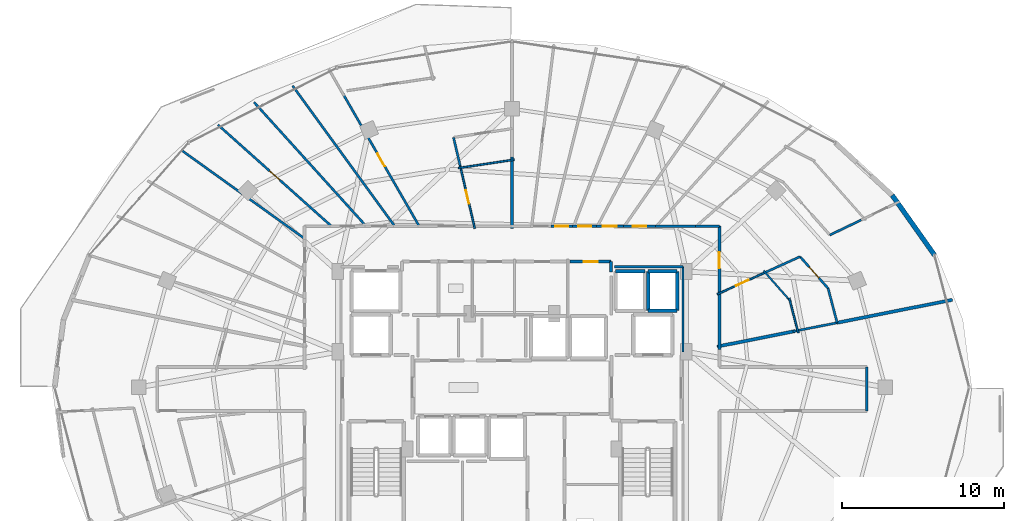
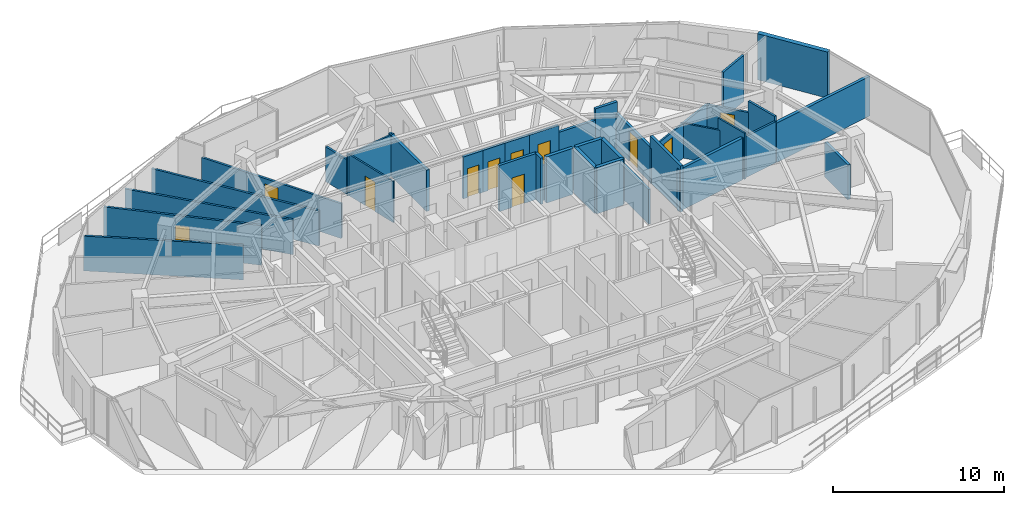
# One storey, part 29 of 34: 38 walls, 11 doors, 11 openings.
"""IFC4 building model written with IfcOpenShell, lengths in metres."""

from ifc_helpers import new_model, si_unit, direction, frame, frame_2d, origin, place, context, subcontext, project, spatial, rectangle, extrude, material, layer, layer_set, type_object, element, fill, save


model = new_model("IFC4")

# Units and contexts
model_context = context("Model", 3, precision=1e-05, world=origin(), true_north=direction((0.0, 1.0)))
body_context = subcontext(model_context, "Body", "Model", "MODEL_VIEW")
ifc_project = project(units=[si_unit("LENGTHUNIT", "METRE"), si_unit("AREAUNIT", "SQUARE_METRE"), si_unit("VOLUMEUNIT", "CUBIC_METRE"), si_unit("PLANEANGLEUNIT", "RADIAN"), si_unit("MASSUNIT", "GRAM", prefix="KILO")], contexts=[model_context])

# Site, building, storey
site_placement = place(None, origin())
site = spatial("IfcSite", under=ifc_project, at=site_placement, CompositionType="ELEMENT")
building_placement = place(site_placement, origin())
building = spatial("IfcBuilding", under=site, at=building_placement, Name="Vorneva Point Tower", CompositionType="ELEMENT")
storey_placement = place(building_placement, frame((0.0, 0.0, 214.300048828125)))
storey = spatial("IfcBuildingStorey", under=building, at=storey_placement, Name="L58", CompositionType="ELEMENT", Elevation=214.300048828125)

# Wall
ifc_material_1 = material(Name="Precast concrete B50 (C40/50)", Category="concrete")
ifc_layer_1 = layer(ifc_material_1, 0.300048828125)
ifc_layer_set_1 = layer_set([ifc_layer_1], Name="Precast concrete B50 (C40/50)")
wall_type_1 = type_object("IfcWallType", Name="WL-EXT-300", PredefinedType="STANDARD", material=ifc_layer_set_1)
wall_1_placement = place(storey_placement, frame((64.0810546875, 34.17041015625, 0.0), z_axis=(0.0, 0.0, 1.0), x_axis=(-0.577168747264, 0.81662490605, 0.0)))
element("IfcWall", 1, at=wall_1_placement, inside=storey, type_object=wall_type_1, Name="L58 Pale-Metal Facade Spandrel Wall 02.1", PredefinedType="STANDARD", context=body_context, shape_type="SweptSolid", body=[
    extrude(rectangle(XDim=4.519775390625, YDim=0.300048828125, at=frame_2d((2.259765625, 0.0))), origin(), (0.0, 0.0, 1.0), 3.2900390625),
])

# Wall, opening, door
ifc_material_2 = material(Name="Fire-rated acoustic gypsum stud partition", Category="gypsum")
ifc_layer_2 = layer(ifc_material_2, 0.110107421875)
ifc_layer_set_2 = layer_set([ifc_layer_2], Name="Fire-rated acoustic gypsum stud partition")
wall_type_2 = type_object("IfcWallType", Name="WL-PART-110", PredefinedType="PARTITIONING", material=ifc_layer_set_2)
wall_2_placement = place(storey_placement, frame((50.672607421875, 31.753173828125, 0.0), z_axis=(0.0, 0.0, 1.0), x_axis=(0.910504846956, 0.413498396212, 0.0)))
wall_2 = element("IfcWall", 2, at=wall_2_placement, inside=storey, type_object=wall_type_2, Name="L58 Interior Partition 088", PredefinedType="PARTITIONING", context=body_context, shape_type="SweptSolid", body=[
    extrude(rectangle(XDim=3.382568359375, YDim=0.110107421875, at=frame_2d((1.69140625, 0.0))), origin(), (0.0, 0.0, 1.0), 2.48193359375),
])
opening_1_placement = place(wall_2_placement, frame((1.266357421875, 0.0, 0.0)))
opening_1 = element("IfcOpeningElement", 3, at=opening_1_placement, cuts=wall_2, Name="Opening ID-02", PredefinedType="OPENING", context=body_context, shape_type="SweptSolid", body=[
    extrude(rectangle(XDim=0.85009765625, YDim=2.10009765625, at=frame_2d((0.425048828125, 1.050048828125))), frame((0.0, 0.06982421875, 0.0), z_axis=(0.0, -1.0, 0.0), x_axis=(1.0, 0.0, 0.0)), (0.0, 0.0, 1.0), 0.139892578125),
])
ifc_material_3 = material(Name="Engineered oak fire-rated door leaf", Category="wood")
door_type_1 = type_object("IfcDoorType", Name="DR-BATH-850", OperationType="NOTDEFINED", PredefinedType="DOOR", material=ifc_material_3)
door_1_placement = place(opening_1_placement, origin())
door_1 = element("IfcDoor", 4, at=door_1_placement, inside=storey, type_object=door_type_1, Name="L58 Door Living and Dining Room L58-01 / Bathroom L58-01", OperationType="SINGLE_SWING_LEFT", OverallHeight=2.10009765625, OverallWidth=0.85009765625, PredefinedType="DOOR", context=body_context, shape_type="SweptSolid", body=[
    extrude(rectangle(XDim=0.85009765625, YDim=2.10009765625, at=frame_2d((0.425048828125, 1.050048828125))), frame((0.0, 0.02490234375, 0.0), z_axis=(0.0, -1.0, 0.0), x_axis=(1.0, 0.0, 0.0)), (0.0, 0.0, 1.0), 0.050048828125),
])
fill(opening_1, door_1)

# Walls
wall_3_placement = place(storey_placement, frame((53.5322265625, 33.198974609375, 0.0), z_axis=(0.0, 0.0, 1.0), x_axis=(0.662069232061, -0.749442680902, 0.0)))
element("IfcWall", 5, at=wall_3_placement, inside=storey, type_object=wall_type_2, Name="L58 Interior Partition 095", PredefinedType="PARTITIONING", context=body_context, shape_type="SweptSolid", body=[
    extrude(rectangle(XDim=2.5791015625, YDim=0.110107421875, at=frame_2d((1.28955078125, 0.0))), origin(), (0.0, 0.0, 1.0), 2.48193359375),
])
wall_4_placement = place(storey_placement, frame((55.111328125, 31.50634765625, 0.0), z_axis=(0.0, 0.0, 1.0), x_axis=(0.254389812051, -0.967101764823, 0.0)))
element("IfcWall", 6, at=wall_4_placement, inside=storey, type_object=wall_type_2, Name="L58 Interior Partition 096", PredefinedType="PARTITIONING", context=body_context, shape_type="SweptSolid", body=[
    extrude(rectangle(XDim=2.206298828125, YDim=0.110107421875, at=frame_2d((1.10302734375, 0.0))), origin(), (0.0, 0.0, 1.0), 3.2900390625),
])

# Wall, opening, door
wall_5_placement = place(storey_placement, frame((35.703857421875, 35.813720703125, 0.0), z_axis=(0.0, 0.0, 1.0), x_axis=(-0.227707800263, 0.973729509515, 0.0)))
wall_5 = element("IfcWall", 7, at=wall_5_placement, inside=storey, type_object=wall_type_2, Name="L58 Interior Partition 111", PredefinedType="PARTITIONING", context=body_context, shape_type="SweptSolid", body=[
    extrude(rectangle(XDim=3.986328125, YDim=0.110107421875, at=frame_2d((1.9931640625, 0.0))), origin(), (0.0, 0.0, 1.0), 2.93603515625),
])
opening_2_placement = place(wall_5_placement, frame((1.568115234375, 0.0, 0.0)))
opening_2 = element("IfcOpeningElement", 8, at=opening_2_placement, cuts=wall_5, Name="Opening ID-02", PredefinedType="OPENING", context=body_context, shape_type="SweptSolid", body=[
    extrude(rectangle(XDim=0.85009765625, YDim=2.10009765625, at=frame_2d((0.425048828125, 1.050048828125))), frame((0.0, 0.06982421875, 0.0), z_axis=(0.0, -1.0, 0.0), x_axis=(1.0, 0.0, 0.0)), (0.0, 0.0, 1.0), 0.139892578125),
])
door_2_placement = place(opening_2_placement, origin())
door_2 = element("IfcDoor", 9, at=door_2_placement, inside=storey, type_object=door_type_1, Name="L58 Door Living and Dining Room L58-02 / Bathroom L58-02", OperationType="SINGLE_SWING_LEFT", OverallHeight=2.10009765625, OverallWidth=0.85009765625, PredefinedType="DOOR", context=body_context, shape_type="SweptSolid", body=[
    extrude(rectangle(XDim=0.85009765625, YDim=2.10009765625, at=frame_2d((0.425048828125, 1.050048828125))), frame((0.0, 0.02490234375, 0.0), z_axis=(0.0, -1.0, 0.0), x_axis=(1.0, 0.0, 0.0)), (0.0, 0.0, 1.0), 0.050048828125),
])
fill(opening_2, door_2)

# Wall
wall_6_placement = place(storey_placement, frame((38.138427734375, 40.056884765625, 0.0), z_axis=(0.0, 0.0, 1.0), x_axis=(-0.988873620703, -0.14875806626, 0.0)))
element("IfcWall", 10, at=wall_6_placement, inside=storey, type_object=wall_type_2, Name="L58 Interior Partition 117", PredefinedType="PARTITIONING", context=body_context, shape_type="SweptSolid", body=[
    extrude(rectangle(XDim=3.487548828125, YDim=0.110107421875, at=frame_2d((1.74365234375, 0.0))), origin(), (0.0, 0.0, 1.0), 2.93603515625),
])

# Wall, opening, door
ifc_layer_3 = layer(ifc_material_2, 0.139892578125)
ifc_layer_set_3 = layer_set([ifc_layer_3], Name="Fire-rated acoustic gypsum stud partition")
wall_type_3 = type_object("IfcWallType", Name="WL-PART-140", PredefinedType="PARTITIONING", material=ifc_layer_set_3)
wall_7_placement = place(storey_placement, frame((55.781005859375, 34.072021484375, 0.0), z_axis=(0.0, 0.0, 1.0), x_axis=(0.661961245166, -0.749538064343, 0.0)))
wall_7 = element("IfcWall", 11, at=wall_7_placement, inside=storey, type_object=wall_type_3, Name="L58 Interior Partition 084", PredefinedType="PARTITIONING", context=body_context, shape_type="SweptSolid", body=[
    extrude(rectangle(XDim=2.614990234375, YDim=0.139892578125, at=frame_2d((1.3076171875, 0.0))), origin(), (0.0, 0.0, 1.0), 2.48193359375),
])
opening_3_placement = place(wall_7_placement, frame((0.857421875, 0.0, 0.0)))
opening_3 = element("IfcOpeningElement", 12, at=opening_3_placement, cuts=wall_7, Name="Opening ID-01", PredefinedType="OPENING", context=body_context, shape_type="SweptSolid", body=[
    extrude(rectangle(XDim=0.89990234375, YDim=2.10009765625, at=frame_2d((0.449951171875, 1.050048828125))), frame((0.0, 0.0849609375, 0.0), z_axis=(0.0, -1.0, 0.0), x_axis=(1.0, 0.0, 0.0)), (0.0, 0.0, 1.0), 0.169677734375),
])
door_type_2 = type_object("IfcDoorType", Name="DR-ROOM-900", OperationType="NOTDEFINED", PredefinedType="DOOR", material=ifc_material_3)
door_3_placement = place(opening_3_placement, origin())
door_3 = element("IfcDoor", 13, at=door_3_placement, inside=storey, type_object=door_type_2, Name="L58 Door Living and Dining Room L58-01 / Family Dining Room L58-01", OperationType="SINGLE_SWING_RIGHT", OverallHeight=2.10009765625, OverallWidth=0.89990234375, PredefinedType="DOOR", context=body_context, shape_type="SweptSolid", body=[
    extrude(rectangle(XDim=0.89990234375, YDim=2.10009765625, at=frame_2d((0.449951171875, 1.050048828125))), frame((0.0, 0.02490234375, 0.0), z_axis=(0.0, -1.0, 0.0), x_axis=(1.0, 0.0, 0.0)), (0.0, 0.0, 1.0), 0.050048828125),
])
fill(opening_3, door_3)

# Walls
wall_8_placement = place(storey_placement, frame((57.511962890625, 32.112060546875, 0.0), z_axis=(0.0, 0.0, 1.0), x_axis=(0.254570039115, -0.967054339314, 0.0)))
element("IfcWall", 14, at=wall_8_placement, inside=storey, type_object=wall_type_3, Name="L58 Interior Partition 085", PredefinedType="PARTITIONING", context=body_context, shape_type="SweptSolid", body=[
    extrude(rectangle(XDim=2.1923828125, YDim=0.139892578125, at=frame_2d((1.09619140625, 0.0))), origin(), (0.0, 0.0, 1.0), 3.2900390625),
])
wall_9_placement = place(storey_placement, frame((58.070068359375, 29.991943359375, 0.0), z_axis=(0.0, 0.0, 1.0), x_axis=(-0.98076287284, -0.19520293865, 0.0)))
element("IfcWall", 15, at=wall_9_placement, inside=storey, type_object=wall_type_3, Name="L58 Interior Partition 086", PredefinedType="PARTITIONING", context=body_context, shape_type="SweptSolid", body=[
    extrude(rectangle(XDim=2.776611328125, YDim=0.139892578125, at=frame_2d((1.38818359375, 0.0))), origin(), (0.0, 0.0, 1.0), 2.93603515625),
])
wall_10_placement = place(storey_placement, frame((53.625, 33.093994140625, 0.0), z_axis=(0.0, 0.0, 1.0), x_axis=(0.910680528551, 0.413111334773, 0.0)))
element("IfcWall", 16, at=wall_10_placement, inside=storey, type_object=wall_type_3, Name="L58 Interior Partition 087", PredefinedType="PARTITIONING", context=body_context, shape_type="SweptSolid", body=[
    extrude(rectangle(XDim=2.367431640625, YDim=0.139892578125, at=frame_2d((1.18359375, 0.0))), origin(), (0.0, 0.0, 1.0), 2.48193359375),
])
wall_11_placement = place(storey_placement, frame((59.559814453125, 36.33642578125, 0.0), z_axis=(0.0, 0.0, 1.0), x_axis=(-0.901730274491, -0.432299100238, 0.0)))
element("IfcWall", 17, at=wall_11_placement, inside=storey, type_object=wall_type_3, Name="L58 Interior Partition 090", PredefinedType="PARTITIONING", context=body_context, shape_type="SweptSolid", body=[
    extrude(rectangle(XDim=2.14990234375, YDim=0.139892578125, at=frame_2d((1.074951171875, 0.0))), origin(), (0.0, 0.0, 1.0), 3.2900390625),
])
wall_12_placement = place(storey_placement, frame((34.796142578125, 39.6953125, 0.0), z_axis=(0.0, 0.0, 1.0), x_axis=(-0.227502715531, 0.973777446045, 0.0)))
element("IfcWall", 18, at=wall_12_placement, inside=storey, type_object=wall_type_3, Name="L58 Interior Partition 115", PredefinedType="PARTITIONING", context=body_context, shape_type="SweptSolid", body=[
    extrude(rectangle(XDim=1.7802734375, YDim=0.139892578125, at=frame_2d((0.89013671875, 0.0))), origin(), (0.0, 0.0, 1.0), 2.48193359375),
])

# Wall, opening, door
wall_13_placement = place(storey_placement, frame((27.56201171875, 44.133056640625, 0.0), z_axis=(0.0, 0.0, 1.0), x_axis=(0.498920898859, -0.866647527361, 0.0)))
wall_13 = element("IfcWall", 19, at=wall_13_placement, inside=storey, type_object=wall_type_3, Name="L58 Interior Partition 116", PredefinedType="PARTITIONING", context=body_context, shape_type="SweptSolid", body=[
    extrude(rectangle(XDim=9.442138671875, YDim=0.139892578125, at=frame_2d((4.72119140625, 0.0))), origin(), (0.0, 0.0, 1.0), 2.48193359375),
])
opening_4_placement = place(wall_13_placement, frame((4.27099609375, 0.0, 0.0)))
opening_4 = element("IfcOpeningElement", 20, at=opening_4_placement, cuts=wall_13, Name="Opening ID-01", PredefinedType="OPENING", context=body_context, shape_type="SweptSolid", body=[
    extrude(rectangle(XDim=0.89990234375, YDim=2.10009765625, at=frame_2d((0.449951171875, 1.050048828125))), frame((0.0, 0.0849609375, 0.0), z_axis=(0.0, -1.0, 0.0), x_axis=(1.0, 0.0, 0.0)), (0.0, 0.0, 1.0), 0.169677734375),
])
door_4_placement = place(opening_4_placement, origin())
door_4 = element("IfcDoor", 21, at=door_4_placement, inside=storey, type_object=door_type_2, Name="L58 Door Living and Dining Room L58-02 / Master Bedroom L58-02.1", OperationType="SINGLE_SWING_RIGHT", OverallHeight=2.10009765625, OverallWidth=0.89990234375, PredefinedType="DOOR", context=body_context, shape_type="SweptSolid", body=[
    extrude(rectangle(XDim=0.89990234375, YDim=2.10009765625, at=frame_2d((0.449951171875, 1.050048828125))), frame((0.0, 0.02490234375, 0.0), z_axis=(0.0, -1.0, 0.0), x_axis=(1.0, 0.0, 0.0)), (0.0, 0.0, 1.0), 0.050048828125),
])
fill(opening_4, door_4)

# Walls
wall_14_placement = place(storey_placement, frame((24.4599609375, 44.616943359375, 0.0), z_axis=(0.0, 0.0, 1.0), x_axis=(0.588154087929, -0.808748891098, 0.0)))
element("IfcWall", 22, at=wall_14_placement, inside=storey, type_object=wall_type_3, Name="L58 Interior Partition 119", PredefinedType="PARTITIONING", context=body_context, shape_type="SweptSolid", body=[
    extrude(rectangle(XDim=10.716552734375, YDim=0.139892578125, at=frame_2d((5.3583984375, 0.0))), origin(), (0.0, 0.0, 1.0), 2.48193359375),
])
wall_15_placement = place(storey_placement, frame((22.076904296875, 43.60302734375, 0.0), z_axis=(0.0, 0.0, 1.0), x_axis=(0.670853853748, -0.741589581177, 0.0)))
element("IfcWall", 23, at=wall_15_placement, inside=storey, type_object=wall_type_3, Name="L58 Interior Partition 120", PredefinedType="PARTITIONING", context=body_context, shape_type="SweptSolid", body=[
    extrude(rectangle(XDim=10.31982421875, YDim=0.139892578125, at=frame_2d((5.159912109375, 0.0))), origin(), (0.0, 0.0, 1.0), 2.48193359375),
])

# Wall, opening, door
wall_16_placement = place(storey_placement, frame((19.843994140625, 42.214111328125, 0.0), z_axis=(0.0, 0.0, 1.0), x_axis=(0.745845988041, -0.666118429502, 0.0)))
wall_16 = element("IfcWall", 24, at=wall_16_placement, inside=storey, type_object=wall_type_3, Name="L58 Interior Partition 121", PredefinedType="PARTITIONING", context=body_context, shape_type="SweptSolid", body=[
    extrude(rectangle(XDim=9.404052734375, YDim=0.139892578125, at=frame_2d((4.7021484375, 0.0))), origin(), (0.0, 0.0, 1.0), 2.823974609375),
])
opening_5_placement = place(wall_16_placement, frame((4.277099609375, 0.0, 0.0)))
opening_5 = element("IfcOpeningElement", 25, at=opening_5_placement, cuts=wall_16, Name="Opening ID-02", PredefinedType="OPENING", context=body_context, shape_type="SweptSolid", body=[
    extrude(rectangle(XDim=0.85009765625, YDim=2.10009765625, at=frame_2d((0.425048828125, 1.050048828125))), frame((0.0, 0.0849609375, 0.0), z_axis=(0.0, -1.0, 0.0), x_axis=(1.0, 0.0, 0.0)), (0.0, 0.0, 1.0), 0.169677734375),
])
door_5_placement = place(opening_5_placement, origin())
door_5 = element("IfcDoor", 26, at=door_5_placement, inside=storey, type_object=door_type_1, Name="L58 Access Door Bedroom L58-02.3", OperationType="SINGLE_SWING_LEFT", OverallHeight=2.10009765625, OverallWidth=0.85009765625, PredefinedType="DOOR", context=body_context, shape_type="SweptSolid", body=[
    extrude(rectangle(XDim=0.85009765625, YDim=2.10009765625, at=frame_2d((0.425048828125, 1.050048828125))), frame((0.0, 0.02490234375, 0.0), z_axis=(0.0, -1.0, 0.0), x_axis=(1.0, 0.0, 0.0)), (0.0, 0.0, 1.0), 0.050048828125),
])
fill(opening_5, door_5)

# Walls
wall_17_placement = place(storey_placement, frame((17.568115234375, 40.662109375, 0.0), z_axis=(0.0, 0.0, 1.0), x_axis=(0.812435479674, -0.583051105279, 0.0)))
element("IfcWall", 27, at=wall_17_placement, inside=storey, type_object=wall_type_3, Name="L58 Interior Partition 122", PredefinedType="PARTITIONING", context=body_context, shape_type="SweptSolid", body=[
    extrude(rectangle(XDim=9.393798828125, YDim=0.139892578125, at=frame_2d((4.69677734375, 0.0))), origin(), (0.0, 0.0, 1.0), 2.48193359375),
])
wall_18_placement = place(storey_placement, frame((48.550048828125, 28.196044921875, 0.0), z_axis=(0.0, 0.0, 1.0), x_axis=(0.0, 1.0, 0.0)))
element("IfcWall", 28, at=wall_18_placement, inside=storey, type_object=wall_type_3, Name="L58 Interior Closure Partition 182", PredefinedType="PARTITIONING", context=body_context, shape_type="SweptSolid", body=[
    extrude(rectangle(XDim=5.25390625, YDim=0.139892578125, at=frame_2d((2.626953125, 0.0))), origin(), (0.0, 0.0, 1.0), 2.48193359375),
])
wall_19_placement = place(storey_placement, frame((48.550048828125, 33.449951171875, 0.0), z_axis=(0.0, 0.0, 1.0), x_axis=(-1.0, 0.0, 0.0)))
element("IfcWall", 29, at=wall_19_placement, inside=storey, type_object=wall_type_3, Name="L58 Interior Closure Partition 183", PredefinedType="PARTITIONING", context=body_context, shape_type="SweptSolid", body=[
    extrude(rectangle(XDim=4.2099609375, YDim=0.139892578125, at=frame_2d((2.10498046875, 0.0))), origin(), (0.0, 0.0, 1.0), 2.48193359375),
])

# Wall, opening, door
ifc_material_4 = material(Name="Autoclaved aerated concrete blockwork", Category="masonry")
ifc_layer_4 = layer(ifc_material_4, 0.179931640625)
ifc_layer_set_4 = layer_set([ifc_layer_4], Name="Autoclaved aerated concrete blockwork")
wall_type_4 = type_object("IfcWallType", Name="WL-PART-180", PredefinedType="PARTITIONING", material=ifc_layer_set_4)
wall_20_placement = place(storey_placement, frame((44.1201171875, 33.760009765625, 0.0), z_axis=(0.0, 0.0, 1.0), x_axis=(-1.0, 0.0, 0.0)))
wall_20 = element("IfcWall", 30, at=wall_20_placement, inside=storey, type_object=wall_type_4, Name="L58 Interior Partition 029", PredefinedType="PARTITIONING", context=body_context, shape_type="SweptSolid", body=[
    extrude(rectangle(XDim=2.530029296875, YDim=0.179931640625, at=frame_2d((1.26513671875, 0.0))), origin(), (0.0, 0.0, 1.0), 3.2900390625),
])
opening_6_placement = place(wall_20_placement, frame((0.840087890625, 0.0, 0.0)))
opening_6 = element("IfcOpeningElement", 31, at=opening_6_placement, cuts=wall_20, Name="Opening ID-02", PredefinedType="OPENING", context=body_context, shape_type="SweptSolid", body=[
    extrude(rectangle(XDim=0.85009765625, YDim=2.10009765625, at=frame_2d((0.425048828125, 1.050048828125))), frame((0.0, 0.10498046875, 0.0), z_axis=(0.0, -1.0, 0.0), x_axis=(1.0, 0.0, 0.0)), (0.0, 0.0, 1.0), 0.209716796875),
])
door_6_placement = place(opening_6_placement, origin())
door_6 = element("IfcDoor", 32, at=door_6_placement, inside=storey, type_object=door_type_1, Name="L58 Door Cleaners Store / L58 Circulation Corridor", OperationType="SINGLE_SWING_RIGHT", OverallHeight=2.10009765625, OverallWidth=0.85009765625, PredefinedType="DOOR", context=body_context, shape_type="SweptSolid", body=[
    extrude(rectangle(XDim=0.85009765625, YDim=2.10009765625, at=frame_2d((0.425048828125, 1.050048828125))), frame((0.0, 0.02490234375, 0.0), z_axis=(0.0, -1.0, 0.0), x_axis=(1.0, 0.0, 0.0)), (0.0, 0.0, 1.0), 0.050048828125),
])
fill(opening_6, door_6)

# Wall
wall_21_placement = place(storey_placement, frame((44.1201171875, 33.110107421875, 0.0), z_axis=(0.0, 0.0, 1.0), x_axis=(0.0, 1.0, 0.0)))
element("IfcWall", 33, at=wall_21_placement, inside=storey, type_object=wall_type_4, Name="L58 Interior Partition 030", PredefinedType="PARTITIONING", context=body_context, shape_type="SweptSolid", body=[
    extrude(rectangle(XDim=0.64990234375, YDim=0.179931640625, at=frame_2d((0.324951171875, 0.0))), origin(), (0.0, 0.0, 1.0), 3.2900390625),
])

# Wall, opening, door
wall_22_placement = place(storey_placement, frame((50.800048828125, 31.7509765625, 0.0), z_axis=(0.0, 0.0, 1.0), x_axis=(0.0, 1.0, 0.0)))
wall_22 = element("IfcWall", 34, at=wall_22_placement, inside=storey, type_object=wall_type_4, Name="L58 Interior Partition 034", PredefinedType="PARTITIONING", context=body_context, shape_type="SweptSolid", body=[
    extrude(rectangle(XDim=4.198974609375, YDim=0.179931640625, at=frame_2d((2.099609375, 0.0))), origin(), (0.0, 0.0, 1.0), 2.48193359375),
])
opening_7_placement = place(wall_22_placement, frame((1.599609375, 0.0, 0.0)))
opening_7 = element("IfcOpeningElement", 35, at=opening_7_placement, cuts=wall_22, Name="Opening UD-01", PredefinedType="OPENING", context=body_context, shape_type="SweptSolid", body=[
    extrude(rectangle(XDim=1.0, YDim=2.14990234375, at=frame_2d((0.5, 1.074951171875))), frame((0.0, 0.10498046875, 0.0), z_axis=(0.0, -1.0, 0.0), x_axis=(1.0, 0.0, 0.0)), (0.0, 0.0, 1.0), 0.209716796875),
])
door_type_3 = type_object("IfcDoorType", Name="DR-UNIT-1000", OperationType="NOTDEFINED", PredefinedType="DOOR", material=ifc_material_3)
door_7_placement = place(opening_7_placement, origin())
door_7 = element("IfcDoor", 36, at=door_7_placement, inside=storey, type_object=door_type_3, Name="L58 Door L58 Circulation Corridor / Living and Dining Room L58-01", OperationType="SINGLE_SWING_LEFT", OverallHeight=2.14990234375, OverallWidth=1.0, PredefinedType="DOOR", context=body_context, shape_type="SweptSolid", body=[
    extrude(rectangle(XDim=1.0, YDim=2.14990234375, at=frame_2d((0.5, 1.074951171875))), frame((0.0, 0.02490234375, 0.0), z_axis=(0.0, -1.0, 0.0), x_axis=(1.0, 0.0, 0.0)), (0.0, 0.0, 1.0), 0.050048828125),
])
fill(opening_7, door_7)

# Walls
wall_23_placement = place(storey_placement, frame((50.800048828125, 35.949951171875, 0.0), z_axis=(0.0, 0.0, 1.0), x_axis=(-1.0, 0.0, 0.0)))
element("IfcWall", 37, at=wall_23_placement, inside=storey, type_object=wall_type_4, Name="L58 Interior Partition 035", PredefinedType="PARTITIONING", context=body_context, shape_type="SweptSolid", body=[
    extrude(rectangle(XDim=1.484130859375, YDim=0.179931640625, at=frame_2d((0.7421875, 0.0))), origin(), (0.0, 0.0, 1.0), 3.2900390625),
])
wall_24_placement = place(storey_placement, frame((50.800048828125, 28.345947265625, 0.0), z_axis=(0.0, 0.0, 1.0), x_axis=(0.0, 1.0, 0.0)))
element("IfcWall", 38, at=wall_24_placement, inside=storey, type_object=wall_type_4, Name="L58 Interior Partition 036", PredefinedType="PARTITIONING", context=body_context, shape_type="SweptSolid", body=[
    extrude(rectangle(XDim=3.545166015625, YDim=0.179931640625, at=frame_2d((1.7724609375, 0.0))), origin(), (0.0, 0.0, 1.0), 3.2900390625),
])
wall_25_placement = place(storey_placement, frame((49.31591796875, 35.949951171875, 0.0), z_axis=(0.0, 0.0, 1.0), x_axis=(-1.0, 0.0, 0.0)))
element("IfcWall", 39, at=wall_25_placement, inside=storey, type_object=wall_type_4, Name="L58 Interior Partition 037", PredefinedType="PARTITIONING", context=body_context, shape_type="SweptSolid", body=[
    extrude(rectangle(XDim=2.4638671875, YDim=0.179931640625, at=frame_2d((1.23193359375, 0.0))), origin(), (0.0, 0.0, 1.0), 2.48193359375),
])

# Wall, opening, door
wall_26_placement = place(storey_placement, frame((46.85205078125, 35.949951171875, 0.0), z_axis=(0.0, 0.0, 1.0), x_axis=(-1.0, 0.0, 0.0)))
wall_26 = element("IfcWall", 40, at=wall_26_placement, inside=storey, type_object=wall_type_4, Name="L58 Interior Partition 038", PredefinedType="PARTITIONING", context=body_context, shape_type="SweptSolid", body=[
    extrude(rectangle(XDim=1.97705078125, YDim=0.179931640625, at=frame_2d((0.988525390625, 0.0))), origin(), (0.0, 0.0, 1.0), 2.97900390625),
])
opening_8_placement = place(wall_26_placement, frame((0.5634765625, 0.0, 0.0)))
opening_8 = element("IfcOpeningElement", 41, at=opening_8_placement, cuts=wall_26, Name="Opening ID-02", PredefinedType="OPENING", context=body_context, shape_type="SweptSolid", body=[
    extrude(rectangle(XDim=0.85009765625, YDim=2.10009765625, at=frame_2d((0.425048828125, 1.050048828125))), frame((0.0, 0.10498046875, 0.0), z_axis=(0.0, -1.0, 0.0), x_axis=(1.0, 0.0, 0.0)), (0.0, 0.0, 1.0), 0.209716796875),
])
door_8_placement = place(opening_8_placement, origin())
door_8 = element("IfcDoor", 42, at=door_8_placement, inside=storey, type_object=door_type_1, Name="L58 Access Door L58 Circulation Corridor", OperationType="SINGLE_SWING_RIGHT", OverallHeight=2.10009765625, OverallWidth=0.85009765625, PredefinedType="DOOR", context=body_context, shape_type="SweptSolid", body=[
    extrude(rectangle(XDim=0.85009765625, YDim=2.10009765625, at=frame_2d((0.425048828125, 1.050048828125))), frame((0.0, 0.02490234375, 0.0), z_axis=(0.0, -1.0, 0.0), x_axis=(1.0, 0.0, 0.0)), (0.0, 0.0, 1.0), 0.050048828125),
])
fill(opening_8, door_8)

wall_27_placement = place(storey_placement, frame((44.875, 35.949951171875, 0.0), z_axis=(0.0, 0.0, 1.0), x_axis=(-1.0, 0.0, 0.0)))
wall_27 = element("IfcWall", 43, at=wall_27_placement, inside=storey, type_object=wall_type_4, Name="L58 Interior Partition 039", PredefinedType="PARTITIONING", context=body_context, shape_type="SweptSolid", body=[
    extrude(rectangle(XDim=1.6669921875, YDim=0.179931640625, at=frame_2d((0.83349609375, 0.0))), origin(), (0.0, 0.0, 1.0), 2.97900390625),
])
opening_9_placement = place(wall_27_placement, frame((0.408447265625, 0.0, 0.0)))
opening_9 = element("IfcOpeningElement", 44, at=opening_9_placement, cuts=wall_27, Name="Opening ID-02", PredefinedType="OPENING", context=body_context, shape_type="SweptSolid", body=[
    extrude(rectangle(XDim=0.85009765625, YDim=2.10009765625, at=frame_2d((0.425048828125, 1.050048828125))), frame((0.0, 0.10498046875, 0.0), z_axis=(0.0, -1.0, 0.0), x_axis=(1.0, 0.0, 0.0)), (0.0, 0.0, 1.0), 0.209716796875),
])
door_9_placement = place(opening_9_placement, origin())
door_9 = element("IfcDoor", 45, at=door_9_placement, inside=storey, type_object=door_type_1, Name="L58 Access Door L58 Circulation Corridor", OperationType="SINGLE_SWING_LEFT", OverallHeight=2.10009765625, OverallWidth=0.85009765625, PredefinedType="DOOR", context=body_context, shape_type="SweptSolid", body=[
    extrude(rectangle(XDim=0.85009765625, YDim=2.10009765625, at=frame_2d((0.425048828125, 1.050048828125))), frame((0.0, 0.02490234375, 0.0), z_axis=(0.0, -1.0, 0.0), x_axis=(1.0, 0.0, 0.0)), (0.0, 0.0, 1.0), 0.050048828125),
])
fill(opening_9, door_9)

wall_28_placement = place(storey_placement, frame((43.2080078125, 35.949951171875, 0.0), z_axis=(0.0, 0.0, 1.0), x_axis=(-1.0, 0.0, 0.0)))
wall_28 = element("IfcWall", 46, at=wall_28_placement, inside=storey, type_object=wall_type_4, Name="L58 Interior Partition 040", PredefinedType="PARTITIONING", context=body_context, shape_type="SweptSolid", body=[
    extrude(rectangle(XDim=1.462890625, YDim=0.179931640625, at=frame_2d((0.7314453125, 0.0))), origin(), (0.0, 0.0, 1.0), 2.97900390625),
])
opening_10_placement = place(wall_28_placement, frame((0.33154296875, 0.0, 0.0)))
opening_10 = element("IfcOpeningElement", 47, at=opening_10_placement, cuts=wall_28, Name="Opening RD-01", PredefinedType="OPENING", context=body_context, shape_type="SweptSolid", body=[
    extrude(rectangle(XDim=0.800048828125, YDim=2.050048828125, at=frame_2d((0.39990234375, 1.02490234375))), frame((0.0, 0.10498046875, 0.0), z_axis=(0.0, -1.0, 0.0), x_axis=(1.0, 0.0, 0.0)), (0.0, 0.0, 1.0), 0.209716796875),
])
ifc_material_5 = material(Name="Fire-rated powder-coated steel", Category="steel")
door_type_4 = type_object("IfcDoorType", Name="DR-RSR-800", OperationType="SINGLE_SWING_LEFT", PredefinedType="DOOR", material=ifc_material_5)
door_10_placement = place(opening_10_placement, origin())
door_10 = element("IfcDoor", 48, at=door_10_placement, inside=storey, type_object=door_type_4, Name="L58 Access Door L58 Circulation Corridor", OperationType="SINGLE_SWING_LEFT", OverallHeight=2.050048828125, OverallWidth=0.800048828125, PredefinedType="DOOR", context=body_context, shape_type="SweptSolid", body=[
    extrude(rectangle(XDim=0.800048828125, YDim=2.050048828125, at=frame_2d((0.39990234375, 1.02490234375))), frame((0.0, 0.02490234375, 0.0), z_axis=(0.0, -1.0, 0.0), x_axis=(1.0, 0.0, 0.0)), (0.0, 0.0, 1.0), 0.050048828125),
])
fill(opening_10, door_10)

wall_29_placement = place(storey_placement, frame((41.7451171875, 35.949951171875, 0.0), z_axis=(0.0, 0.0, 1.0), x_axis=(-1.0, 0.0, 0.0)))
wall_29 = element("IfcWall", 49, at=wall_29_placement, inside=storey, type_object=wall_type_4, Name="L58 Interior Partition 041", PredefinedType="PARTITIONING", context=body_context, shape_type="SweptSolid", body=[
    extrude(rectangle(XDim=1.3330078125, YDim=0.179931640625, at=frame_2d((0.66650390625, 0.0))), origin(), (0.0, 0.0, 1.0), 2.97900390625),
])
opening_11_placement = place(wall_29_placement, frame((0.2666015625, 0.0, 0.0)))
opening_11 = element("IfcOpeningElement", 50, at=opening_11_placement, cuts=wall_29, Name="Opening RD-01", PredefinedType="OPENING", context=body_context, shape_type="SweptSolid", body=[
    extrude(rectangle(XDim=0.800048828125, YDim=2.050048828125, at=frame_2d((0.39990234375, 1.02490234375))), frame((0.0, 0.10498046875, 0.0), z_axis=(0.0, -1.0, 0.0), x_axis=(1.0, 0.0, 0.0)), (0.0, 0.0, 1.0), 0.209716796875),
])
door_11_placement = place(opening_11_placement, origin())
door_11 = element("IfcDoor", 51, at=door_11_placement, inside=storey, type_object=door_type_4, Name="L58 Access Door L58 Circulation Corridor", OperationType="SINGLE_SWING_LEFT", OverallHeight=2.050048828125, OverallWidth=0.800048828125, PredefinedType="DOOR", context=body_context, shape_type="SweptSolid", body=[
    extrude(rectangle(XDim=0.800048828125, YDim=2.050048828125, at=frame_2d((0.39990234375, 1.02490234375))), frame((0.0, 0.02490234375, 0.0), z_axis=(0.0, -1.0, 0.0), x_axis=(1.0, 0.0, 0.0)), (0.0, 0.0, 1.0), 0.050048828125),
])
fill(opening_11, door_11)

# Walls
wall_30_placement = place(storey_placement, frame((59.89990234375, 24.550048828125, 0.0), z_axis=(0.0, 0.0, 1.0), x_axis=(0.0, 1.0, 0.0)))
element("IfcWall", 52, at=wall_30_placement, inside=storey, type_object=wall_type_4, Name="L58 Interior Partition 081", PredefinedType="PARTITIONING", context=body_context, shape_type="SweptSolid", body=[
    extrude(rectangle(XDim=2.699951171875, YDim=0.179931640625, at=frame_2d((1.35009765625, 0.0))), origin(), (0.0, 0.0, 1.0), 2.48193359375),
])
ifc_layer_5 = layer(ifc_material_4, 0.199951171875)
ifc_layer_set_5 = layer_set([ifc_layer_5], Name="Autoclaved aerated concrete blockwork")
wall_type_5 = type_object("IfcWallType", Name="WL-PART-200", PredefinedType="PARTITIONING", material=ifc_layer_set_5)
wall_31_placement = place(storey_placement, frame((58.070068359375, 29.99169921875, 0.0), z_axis=(0.0, 0.0, 1.0), x_axis=(0.980769147175, 0.19517141171, 0.0)))
element("IfcWall", 53, at=wall_31_placement, inside=storey, type_object=wall_type_5, Name="L58 Interior Partition 094", PredefinedType="PARTITIONING", context=body_context, shape_type="SweptSolid", body=[
    extrude(rectangle(XDim=7.256591796875, YDim=0.199951171875, at=frame_2d((3.62841796875, 0.0))), origin(), (0.0, 0.0, 1.0), 2.823974609375),
])
wall_32_placement = place(storey_placement, frame((50.66259765625, 28.518798828125, 0.0), z_axis=(0.0, 0.0, 1.0), x_axis=(0.980809211653, 0.194969972909, 0.0)))
element("IfcWall", 54, at=wall_32_placement, inside=storey, type_object=wall_type_5, Name="L58 Interior Partition 097", PredefinedType="PARTITIONING", context=body_context, shape_type="SweptSolid", body=[
    extrude(rectangle(XDim=4.916015625, YDim=0.199951171875, at=frame_2d((2.4580078125, 0.0))), origin(), (0.0, 0.0, 1.0), 2.97900390625),
])
wall_33_placement = place(storey_placement, frame((38.0, 40.236083984375, 0.0), z_axis=(0.0, 0.0, 1.0), x_axis=(0.0, -1.0, 0.0)))
element("IfcWall", 55, at=wall_33_placement, inside=storey, type_object=wall_type_5, Name="L58 Interior Partition 109", PredefinedType="PARTITIONING", context=body_context, shape_type="SweptSolid", body=[
    extrude(rectangle(XDim=4.426025390625, YDim=0.199951171875, at=frame_2d((2.212890625, 0.0))), origin(), (0.0, 0.0, 1.0), 2.93603515625),
])
ifc_material_6 = material(Name="Concrete B50 (C40/50)", Category="concrete")
ifc_layer_6 = layer(ifc_material_6, 0.219970703125)
ifc_layer_set_6 = layer_set([ifc_layer_6], Name="Concrete B50 (C40/50)")
wall_type_6 = type_object("IfcWallType", Name="WL-SHFT-220", PredefinedType="SOLIDWALL", material=ifc_layer_set_6)
for number, where, z_axis, x_axis, name in (
    (56, (46.199951171875, 33.159912109375, 0.0), (0.0, 0.0, 1.0), (-1.0, 0.0, 0.0), "L58 Lift EX1 Shaft Wall +Y"),
    (57, (46.39990234375, 30.739990234375, 0.0), (0.0, 0.0, 1.0), (1.0, 0.0, 0.0), "L58 Lift EX2 Shaft Wall -Y"),
):
    element("IfcWall", number, at=place(storey_placement, frame(where, z_axis=z_axis, x_axis=x_axis)), inside=storey, type_object=wall_type_6, Name=name, PredefinedType="SOLIDWALL", context=body_context, shape_type="SweptSolid", body=[
        extrude(rectangle(XDim=1.800048828125, YDim=0.219970703125, at=frame_2d((0.89990234375, 0.0))), origin(), (0.0, 0.0, 1.0), 3.2900390625),
    ])
wall_34_placement = place(storey_placement, frame((48.199951171875, 30.739990234375, 0.0), z_axis=(0.0, 0.0, 1.0), x_axis=(0.0, 1.0, 0.0)))
element("IfcWall", 58, at=wall_34_placement, inside=storey, type_object=wall_type_6, Name="L58 Lift EX2 Shaft Wall +X", PredefinedType="SOLIDWALL", context=body_context, shape_type="SweptSolid", body=[
    extrude(rectangle(XDim=2.419921875, YDim=0.219970703125, at=frame_2d((1.2099609375, 0.0))), origin(), (0.0, 0.0, 1.0), 3.2900390625),
])
wall_35_placement = place(storey_placement, frame((48.199951171875, 33.159912109375, 0.0), z_axis=(0.0, 0.0, 1.0), x_axis=(-1.0, 0.0, 0.0)))
element("IfcWall", 59, at=wall_35_placement, inside=storey, type_object=wall_type_6, Name="L58 Lift EX2 Shaft Wall +Y", PredefinedType="SOLIDWALL", context=body_context, shape_type="SweptSolid", body=[
    extrude(rectangle(XDim=1.800048828125, YDim=0.219970703125, at=frame_2d((0.89990234375, 0.0))), origin(), (0.0, 0.0, 1.0), 3.2900390625),
])
wall_36_placement = place(storey_placement, frame((46.39990234375, 33.159912109375, 0.0), z_axis=(0.0, 0.0, 1.0), x_axis=(0.0, -1.0, 0.0)))
element("IfcWall", 60, at=wall_36_placement, inside=storey, type_object=wall_type_6, Name="L58 Lift EX2 Shaft Wall -X", PredefinedType="SOLIDWALL", context=body_context, shape_type="SweptSolid", body=[
    extrude(rectangle(XDim=2.419921875, YDim=0.219970703125, at=frame_2d((1.2099609375, 0.0))), origin(), (0.0, 0.0, 1.0), 3.2900390625),
])

save(model, "model.ifc")
